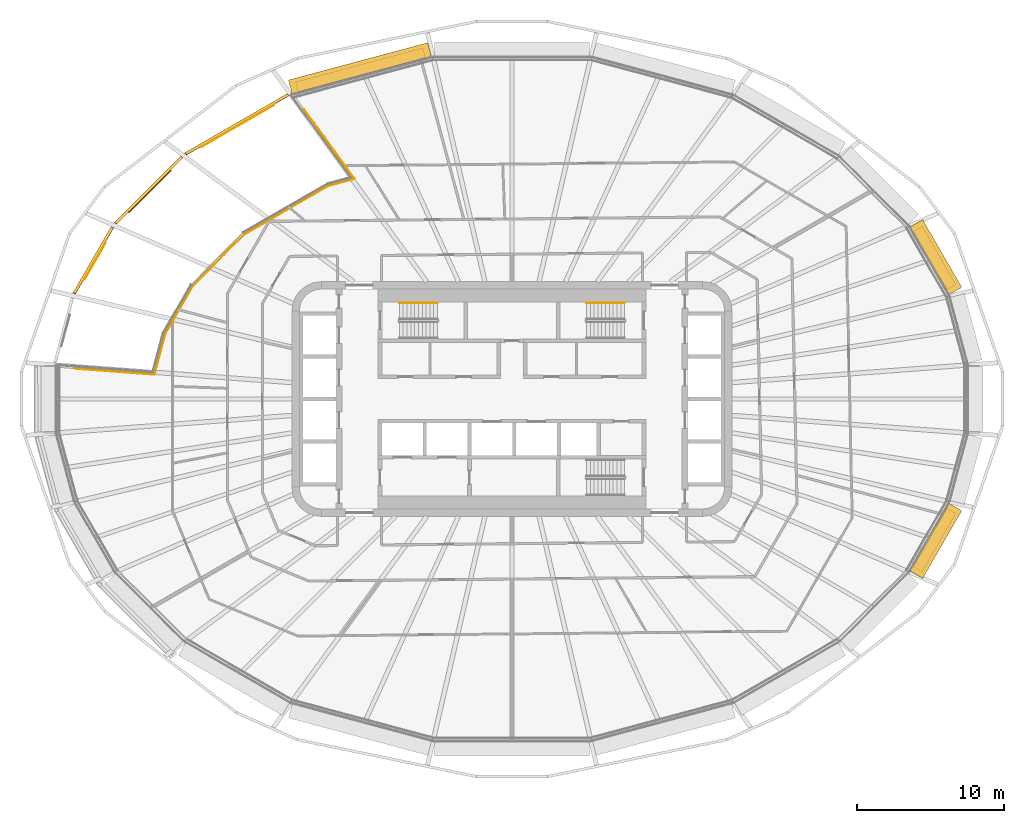
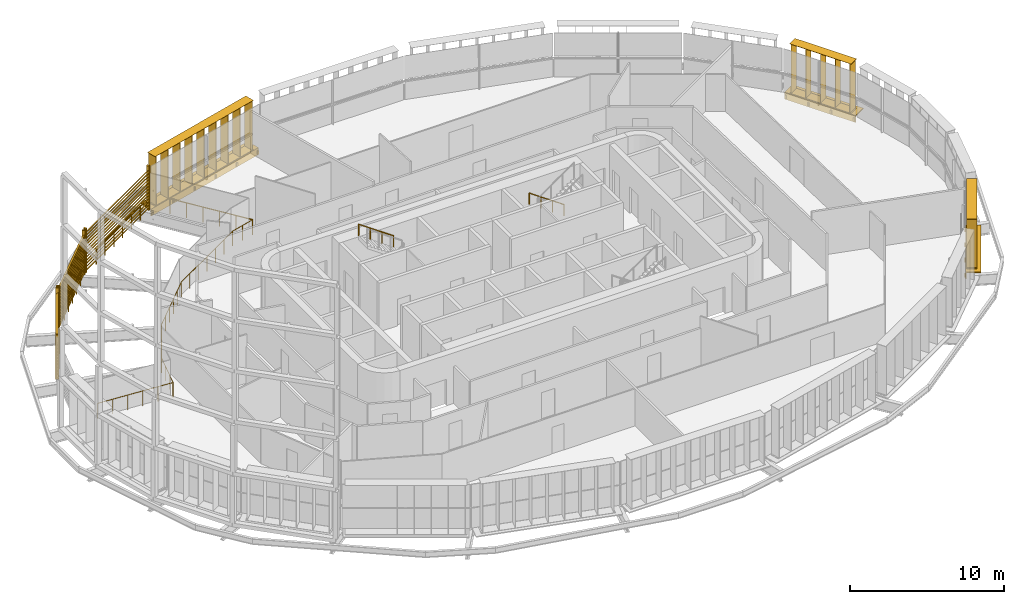
# One storey, part 21 of 22: 9 shading devices, 7 railings.
"""IFC4 building model written with IfcOpenShell, lengths in metres."""

from ifc_helpers import new_model, si_unit, direction, frame, origin, origin_2d, place, context, subcontext, project, spatial, rectangle, circle, extrude, material, type_object, element, save


model = new_model("IFC4")

# Units and contexts
model_context = context("Model", 3, precision=1e-05, world=origin(), true_north=direction((0.0, 1.0)))
body_context = subcontext(model_context, "Body", "Model", "MODEL_VIEW")
ifc_project = project(units=[si_unit("LENGTHUNIT", "METRE"), si_unit("AREAUNIT", "SQUARE_METRE"), si_unit("VOLUMEUNIT", "CUBIC_METRE"), si_unit("PLANEANGLEUNIT", "RADIAN"), si_unit("MASSUNIT", "GRAM", prefix="KILO")], contexts=[model_context])

# Site, building, storey
site_placement = place(None, origin())
site = spatial("IfcSite", under=ifc_project, at=site_placement, CompositionType="ELEMENT")
building_placement = place(site_placement, origin())
building = spatial("IfcBuilding", under=site, at=building_placement, Name="Sahrelin Media Tower", CompositionType="ELEMENT")
storey_placement = place(building_placement, frame((0.0, 0.0, 177.60009765625)))
storey = spatial("IfcBuildingStorey", under=building, at=storey_placement, Name="L37", CompositionType="ELEMENT", Elevation=177.60009765625)

# Shading devices
ifc_material_1 = material(Name="Champagne anodised aluminium 6063-T6", Category="aluminium")
shading_device_type_1 = type_object("IfcShadingDeviceType", Name="Fin cassette", PredefinedType="USERDEFINED", material=ifc_material_1)
placement_1 = place(storey_placement, frame((28.443359375, 9.405517578125, 0.0), z_axis=(0.0, 0.0, 1.0), x_axis=(0.500011000363, -0.866019052629, 0.0)))
element("IfcShadingDevice", 1, at=placement_1, inside=storey, type_object=shading_device_type_1, Name="L37:FIN:L37-02", ObjectType="FIN", PredefinedType="USERDEFINED", context=body_context, shape_type="SweptSolid", body=[
    extrude(rectangle(XDim=4.60009765625, YDim=0.699951171875, at=origin_2d()), frame((0.0, 0.419921875, 0.0)), (0.0, 0.0, 1.0), 0.02001953125),
    extrude(rectangle(XDim=4.60009765625, YDim=0.699951171875, at=origin_2d()), frame((0.0, 0.419921875, 3.89990234375)), (0.0, 0.0, 1.0), 0.02001953125),
    extrude(rectangle(XDim=0.02001953125, YDim=0.699951171875, at=origin_2d()), frame((-2.199951171875, 0.419921875, 0.010009765625), z_axis=(0.0, 0.0, 1.0), x_axis=(1.0, 0.0, 0.0)), (0.0, 0.0, 1.0), 3.89990234375),
    extrude(rectangle(XDim=0.02001953125, YDim=0.699951171875, at=origin_2d()), frame((-1.10009765625, 0.419921875, 0.010009765625), z_axis=(0.0, 0.0, 1.0), x_axis=(1.0, 0.0, 0.0)), (0.0, 0.0, 1.0), 3.89990234375),
    extrude(rectangle(XDim=0.02001953125, YDim=0.699951171875, at=origin_2d()), frame((0.0, 0.419921875, 0.010009765625), z_axis=(0.0, 0.0, 1.0), x_axis=(1.0, 0.0, 0.0)), (0.0, 0.0, 1.0), 3.89990234375),
    extrude(rectangle(XDim=0.02001953125, YDim=0.699951171875, at=origin_2d()), frame((1.10009765625, 0.419921875, 0.010009765625), z_axis=(0.0, 0.0, 1.0), x_axis=(1.0, 0.0, 0.0)), (0.0, 0.0, 1.0), 3.89990234375),
    extrude(rectangle(XDim=0.02001953125, YDim=0.699951171875, at=origin_2d()), frame((2.199951171875, 0.419921875, 0.010009765625), z_axis=(0.0, 0.0, 1.0), x_axis=(1.0, 0.0, 0.0)), (0.0, 0.0, 1.0), 3.89990234375),
])
placement_2 = place(storey_placement, frame((-10.22509765625, 22.027099609375, 0.0), z_axis=(0.0, 0.0, 1.0), x_axis=(0.965928857556, 0.258807731996, 0.0)))
element("IfcShadingDevice", 2, at=placement_2, inside=storey, type_object=shading_device_type_1, Name="L37:FIN:L37-07", ObjectType="FIN", PredefinedType="USERDEFINED", context=body_context, shape_type="SweptSolid", body=[
    extrude(rectangle(XDim=9.0, YDim=0.699951171875, at=origin_2d()), frame((0.0, 0.419921875, 0.0)), (0.0, 0.0, 1.0), 0.02001953125),
    extrude(rectangle(XDim=9.0, YDim=0.699951171875, at=origin_2d()), frame((0.0, 0.419921875, 3.89990234375)), (0.0, 0.0, 1.0), 0.02001953125),
    extrude(rectangle(XDim=0.02001953125, YDim=0.699951171875, at=origin_2d()), frame((-4.39990234375, 0.419921875, 0.010009765625), z_axis=(0.0, 0.0, 1.0), x_axis=(1.0, 0.0, 0.0)), (0.0, 0.0, 1.0), 3.89990234375),
    extrude(rectangle(XDim=0.02001953125, YDim=0.699951171875, at=origin_2d()), frame((-3.300048828125, 0.419921875, 0.010009765625), z_axis=(0.0, 0.0, 1.0), x_axis=(1.0, 0.0, 0.0)), (0.0, 0.0, 1.0), 3.89990234375),
    extrude(rectangle(XDim=0.02001953125, YDim=0.699951171875, at=origin_2d()), frame((-2.199951171875, 0.419921875, 0.010009765625), z_axis=(0.0, 0.0, 1.0), x_axis=(1.0, 0.0, 0.0)), (0.0, 0.0, 1.0), 3.89990234375),
    extrude(rectangle(XDim=0.02001953125, YDim=0.699951171875, at=origin_2d()), frame((-1.10009765625, 0.419921875, 0.010009765625), z_axis=(0.0, 0.0, 1.0), x_axis=(1.0, 0.0, 0.0)), (0.0, 0.0, 1.0), 3.89990234375),
    extrude(rectangle(XDim=0.02001953125, YDim=0.699951171875, at=origin_2d()), frame((0.0, 0.419921875, 0.010009765625), z_axis=(0.0, 0.0, 1.0), x_axis=(1.0, 0.0, 0.0)), (0.0, 0.0, 1.0), 3.89990234375),
    extrude(rectangle(XDim=0.02001953125, YDim=0.699951171875, at=origin_2d()), frame((1.10009765625, 0.419921875, 0.010009765625), z_axis=(0.0, 0.0, 1.0), x_axis=(1.0, 0.0, 0.0)), (0.0, 0.0, 1.0), 3.89990234375),
    extrude(rectangle(XDim=0.02001953125, YDim=0.699951171875, at=origin_2d()), frame((2.199951171875, 0.419921875, 0.010009765625), z_axis=(0.0, 0.0, 1.0), x_axis=(1.0, 0.0, 0.0)), (0.0, 0.0, 1.0), 3.89990234375),
    extrude(rectangle(XDim=0.02001953125, YDim=0.699951171875, at=origin_2d()), frame((3.300048828125, 0.419921875, 0.010009765625), z_axis=(0.0, 0.0, 1.0), x_axis=(1.0, 0.0, 0.0)), (0.0, 0.0, 1.0), 3.89990234375),
    extrude(rectangle(XDim=0.02001953125, YDim=0.699951171875, at=origin_2d()), frame((4.39990234375, 0.419921875, 0.010009765625), z_axis=(0.0, 0.0, 1.0), x_axis=(1.0, 0.0, 0.0)), (0.0, 0.0, 1.0), 3.89990234375),
])
placement_3 = place(storey_placement, frame((28.443359375, -9.405517578125, 0.0), z_axis=(0.0, 0.0, 1.0), x_axis=(-0.500011000363, -0.866019052629, 0.0)))
element("IfcShadingDevice", 3, at=placement_3, inside=storey, type_object=shading_device_type_1, Name="L37:FIN:L37-22", ObjectType="FIN", PredefinedType="USERDEFINED", context=body_context, shape_type="SweptSolid", body=[
    extrude(rectangle(XDim=4.60009765625, YDim=0.699951171875, at=origin_2d()), frame((0.0, 0.419921875, 0.0)), (0.0, 0.0, 1.0), 0.02001953125),
    extrude(rectangle(XDim=4.60009765625, YDim=0.699951171875, at=origin_2d()), frame((0.0, 0.419921875, 3.89990234375)), (0.0, 0.0, 1.0), 0.02001953125),
    extrude(rectangle(XDim=0.02001953125, YDim=0.699951171875, at=origin_2d()), frame((-2.199951171875, 0.419921875, 0.010009765625), z_axis=(0.0, 0.0, 1.0), x_axis=(1.0, 0.0, 0.0)), (0.0, 0.0, 1.0), 3.89990234375),
    extrude(rectangle(XDim=0.02001953125, YDim=0.699951171875, at=origin_2d()), frame((-1.10009765625, 0.419921875, 0.010009765625), z_axis=(0.0, 0.0, 1.0), x_axis=(1.0, 0.0, 0.0)), (0.0, 0.0, 1.0), 3.89990234375),
    extrude(rectangle(XDim=0.02001953125, YDim=0.699951171875, at=origin_2d()), frame((0.0, 0.419921875, 0.010009765625), z_axis=(0.0, 0.0, 1.0), x_axis=(1.0, 0.0, 0.0)), (0.0, 0.0, 1.0), 3.89990234375),
    extrude(rectangle(XDim=0.02001953125, YDim=0.699951171875, at=origin_2d()), frame((1.10009765625, 0.419921875, 0.010009765625), z_axis=(0.0, 0.0, 1.0), x_axis=(1.0, 0.0, 0.0)), (0.0, 0.0, 1.0), 3.89990234375),
    extrude(rectangle(XDim=0.02001953125, YDim=0.699951171875, at=origin_2d()), frame((2.199951171875, 0.419921875, 0.010009765625), z_axis=(0.0, 0.0, 1.0), x_axis=(1.0, 0.0, 0.0)), (0.0, 0.0, 1.0), 3.89990234375),
])
shading_device_type_2 = type_object("IfcShadingDeviceType", Name="Garden screen", PredefinedType="USERDEFINED", material=ifc_material_1)
shading_device_4_placement = place(storey_placement, frame((-18.691162109375, 18.6376953125, 0.0), z_axis=(0.0, 0.0, 1.0), x_axis=(0.866019052629, 0.500011000363, 0.0)))
element("IfcShadingDevice", 4, at=shading_device_4_placement, inside=storey, type_object=shading_device_type_2, Name="L37:SCREEN:L37-08", ObjectType="SCREEN", PredefinedType="USERDEFINED", context=body_context, shape_type="SweptSolid", body=[
    extrude(rectangle(XDim=0.1201171875, YDim=0.199951171875, at=origin_2d()), frame((4.07373046875, 0.10009765625, 0.050048828125), z_axis=(0.0, 0.0, 1.0), x_axis=(1.0, 0.0, 0.0)), (0.0, 0.0, 1.0), 3.49853515625),
    extrude(rectangle(XDim=0.1201171875, YDim=0.199951171875, at=origin_2d()), frame((-4.07373046875, 0.10009765625, 0.050048828125), z_axis=(0.0, 0.0, 1.0), x_axis=(1.0, 0.0, 0.0)), (0.0, 0.0, 1.0), 3.49853515625),
    extrude(rectangle(XDim=0.25, YDim=0.02001953125, at=origin_2d()), frame((4.013916015625, 0.10009765625, 0.14990234375), z_axis=(-1.0, 0.0, 0.0), x_axis=(0.0, -0.766044443119, 0.642787609687)), (0.0, 0.0, 1.0), 8.02783203125),
    extrude(rectangle(XDim=0.25, YDim=0.02001953125, at=origin_2d()), frame((4.013916015625, 0.10009765625, 0.39990234375), z_axis=(-1.0, 0.0, 0.0), x_axis=(0.0, -0.766044443119, 0.642787609687)), (0.0, 0.0, 1.0), 8.02783203125),
    extrude(rectangle(XDim=0.25, YDim=0.02001953125, at=origin_2d()), frame((4.013916015625, 0.10009765625, 0.64990234375), z_axis=(-1.0, 0.0, 0.0), x_axis=(0.0, -0.766044443119, 0.642787609687)), (0.0, 0.0, 1.0), 8.02783203125),
    extrude(rectangle(XDim=0.25, YDim=0.02001953125, at=origin_2d()), frame((4.013916015625, 0.10009765625, 0.89990234375), z_axis=(-1.0, 0.0, 0.0), x_axis=(0.0, -0.766044443119, 0.642787609687)), (0.0, 0.0, 1.0), 8.02783203125),
    extrude(rectangle(XDim=0.25, YDim=0.02001953125, at=origin_2d()), frame((4.013916015625, 0.10009765625, 1.14990234375), z_axis=(-1.0, 0.0, 0.0), x_axis=(0.0, -0.766044443119, 0.642787609687)), (0.0, 0.0, 1.0), 8.02783203125),
    extrude(rectangle(XDim=0.25, YDim=0.02001953125, at=origin_2d()), frame((4.013916015625, 0.10009765625, 1.39990234375), z_axis=(-1.0, 0.0, 0.0), x_axis=(0.0, -0.766044443119, 0.642787609687)), (0.0, 0.0, 1.0), 8.02783203125),
    extrude(rectangle(XDim=0.25, YDim=0.02001953125, at=origin_2d()), frame((4.013916015625, 0.10009765625, 1.64990234375), z_axis=(-1.0, 0.0, 0.0), x_axis=(0.0, -0.766044443119, 0.642787609687)), (0.0, 0.0, 1.0), 8.02783203125),
    extrude(rectangle(XDim=0.25, YDim=0.02001953125, at=origin_2d()), frame((4.013916015625, 0.10009765625, 1.89990234375), z_axis=(-1.0, 0.0, 0.0), x_axis=(0.0, -0.766044443119, 0.642787609687)), (0.0, 0.0, 1.0), 8.02783203125),
    extrude(rectangle(XDim=0.25, YDim=0.02001953125, at=origin_2d()), frame((4.013916015625, 0.10009765625, 2.14990234375), z_axis=(-1.0, 0.0, 0.0), x_axis=(0.0, -0.766044443119, 0.642787609687)), (0.0, 0.0, 1.0), 8.02783203125),
    extrude(rectangle(XDim=0.25, YDim=0.02001953125, at=origin_2d()), frame((4.013916015625, 0.10009765625, 2.39990234375), z_axis=(-1.0, 0.0, 0.0), x_axis=(0.0, -0.766044443119, 0.642787609687)), (0.0, 0.0, 1.0), 8.02783203125),
    extrude(rectangle(XDim=0.25, YDim=0.02001953125, at=origin_2d()), frame((4.013916015625, 0.10009765625, 2.64990234375), z_axis=(-1.0, 0.0, 0.0), x_axis=(0.0, -0.766044443119, 0.642787609687)), (0.0, 0.0, 1.0), 8.02783203125),
    extrude(rectangle(XDim=0.25, YDim=0.02001953125, at=origin_2d()), frame((4.013916015625, 0.10009765625, 2.89990234375), z_axis=(-1.0, 0.0, 0.0), x_axis=(0.0, -0.766044443119, 0.642787609687)), (0.0, 0.0, 1.0), 8.02783203125),
    extrude(rectangle(XDim=0.25, YDim=0.02001953125, at=origin_2d()), frame((4.013916015625, 0.10009765625, 3.14990234375), z_axis=(-1.0, 0.0, 0.0), x_axis=(0.0, -0.766044443119, 0.642787609687)), (0.0, 0.0, 1.0), 8.02783203125),
])
shading_device_5_placement = place(storey_placement, frame((-24.688232421875, 14.172119140625, 0.0), z_axis=(0.0, 0.0, 1.0), x_axis=(0.707106781187, 0.707106781187, 0.0)))
element("IfcShadingDevice", 5, at=shading_device_5_placement, inside=storey, type_object=shading_device_type_2, Name="L37:SCREEN:L37-09", ObjectType="SCREEN", PredefinedType="USERDEFINED", context=body_context, shape_type="SweptSolid", body=[
    extrude(rectangle(XDim=0.1201171875, YDim=0.199951171875, at=origin_2d()), frame((3.246826171875, 0.10009765625, 0.050048828125), z_axis=(0.0, 0.0, 1.0), x_axis=(1.0, 0.0, 0.0)), (0.0, 0.0, 1.0), 3.49853515625),
    extrude(rectangle(XDim=0.1201171875, YDim=0.199951171875, at=origin_2d()), frame((-3.246826171875, 0.10009765625, 0.050048828125), z_axis=(0.0, 0.0, 1.0), x_axis=(1.0, 0.0, 0.0)), (0.0, 0.0, 1.0), 3.49853515625),
    extrude(rectangle(XDim=0.25, YDim=0.02001953125, at=origin_2d()), frame((3.18701171875, 0.10009765625, 0.14990234375), z_axis=(-1.0, 0.0, 0.0), x_axis=(0.0, -0.766044443119, 0.642787609687)), (0.0, 0.0, 1.0), 6.3740234375),
    extrude(rectangle(XDim=0.25, YDim=0.02001953125, at=origin_2d()), frame((3.18701171875, 0.10009765625, 0.39990234375), z_axis=(-1.0, 0.0, 0.0), x_axis=(0.0, -0.766044443119, 0.642787609687)), (0.0, 0.0, 1.0), 6.3740234375),
    extrude(rectangle(XDim=0.25, YDim=0.02001953125, at=origin_2d()), frame((3.18701171875, 0.10009765625, 0.64990234375), z_axis=(-1.0, 0.0, 0.0), x_axis=(0.0, -0.766044443119, 0.642787609687)), (0.0, 0.0, 1.0), 6.3740234375),
    extrude(rectangle(XDim=0.25, YDim=0.02001953125, at=origin_2d()), frame((3.18701171875, 0.10009765625, 0.89990234375), z_axis=(-1.0, 0.0, 0.0), x_axis=(0.0, -0.766044443119, 0.642787609687)), (0.0, 0.0, 1.0), 6.3740234375),
    extrude(rectangle(XDim=0.25, YDim=0.02001953125, at=origin_2d()), frame((3.18701171875, 0.10009765625, 1.14990234375), z_axis=(-1.0, 0.0, 0.0), x_axis=(0.0, -0.766044443119, 0.642787609687)), (0.0, 0.0, 1.0), 6.3740234375),
    extrude(rectangle(XDim=0.25, YDim=0.02001953125, at=origin_2d()), frame((3.18701171875, 0.10009765625, 1.39990234375), z_axis=(-1.0, 0.0, 0.0), x_axis=(0.0, -0.766044443119, 0.642787609687)), (0.0, 0.0, 1.0), 6.3740234375),
    extrude(rectangle(XDim=0.25, YDim=0.02001953125, at=origin_2d()), frame((3.18701171875, 0.10009765625, 1.64990234375), z_axis=(-1.0, 0.0, 0.0), x_axis=(0.0, -0.766044443119, 0.642787609687)), (0.0, 0.0, 1.0), 6.3740234375),
    extrude(rectangle(XDim=0.25, YDim=0.02001953125, at=origin_2d()), frame((3.18701171875, 0.10009765625, 1.89990234375), z_axis=(-1.0, 0.0, 0.0), x_axis=(0.0, -0.766044443119, 0.642787609687)), (0.0, 0.0, 1.0), 6.3740234375),
    extrude(rectangle(XDim=0.25, YDim=0.02001953125, at=origin_2d()), frame((3.18701171875, 0.10009765625, 2.14990234375), z_axis=(-1.0, 0.0, 0.0), x_axis=(0.0, -0.766044443119, 0.642787609687)), (0.0, 0.0, 1.0), 6.3740234375),
    extrude(rectangle(XDim=0.25, YDim=0.02001953125, at=origin_2d()), frame((3.18701171875, 0.10009765625, 2.39990234375), z_axis=(-1.0, 0.0, 0.0), x_axis=(0.0, -0.766044443119, 0.642787609687)), (0.0, 0.0, 1.0), 6.3740234375),
    extrude(rectangle(XDim=0.25, YDim=0.02001953125, at=origin_2d()), frame((3.18701171875, 0.10009765625, 2.64990234375), z_axis=(-1.0, 0.0, 0.0), x_axis=(0.0, -0.766044443119, 0.642787609687)), (0.0, 0.0, 1.0), 6.3740234375),
    extrude(rectangle(XDim=0.25, YDim=0.02001953125, at=origin_2d()), frame((3.18701171875, 0.10009765625, 2.89990234375), z_axis=(-1.0, 0.0, 0.0), x_axis=(0.0, -0.766044443119, 0.642787609687)), (0.0, 0.0, 1.0), 6.3740234375),
    extrude(rectangle(XDim=0.25, YDim=0.02001953125, at=origin_2d()), frame((3.18701171875, 0.10009765625, 3.14990234375), z_axis=(-1.0, 0.0, 0.0), x_axis=(0.0, -0.766044443119, 0.642787609687)), (0.0, 0.0, 1.0), 6.3740234375),
])
shading_device_6_placement = place(storey_placement, frame((-28.443359375, 9.405517578125, 0.0), z_axis=(0.0, 0.0, 1.0), x_axis=(0.500011000363, 0.866019052629, 0.0)))
element("IfcShadingDevice", 6, at=shading_device_6_placement, inside=storey, type_object=shading_device_type_2, Name="L37:SCREEN:L37-10", ObjectType="SCREEN", PredefinedType="USERDEFINED", context=body_context, shape_type="SweptSolid", body=[
    extrude(rectangle(XDim=0.1201171875, YDim=0.199951171875, at=origin_2d()), frame((2.653076171875, 0.10009765625, 0.050048828125), z_axis=(0.0, 0.0, 1.0), x_axis=(1.0, 0.0, 0.0)), (0.0, 0.0, 1.0), 3.49853515625),
    extrude(rectangle(XDim=0.1201171875, YDim=0.199951171875, at=origin_2d()), frame((-2.653076171875, 0.10009765625, 0.050048828125), z_axis=(0.0, 0.0, 1.0), x_axis=(1.0, 0.0, 0.0)), (0.0, 0.0, 1.0), 3.49853515625),
    extrude(rectangle(XDim=0.25, YDim=0.02001953125, at=origin_2d()), frame((2.593017578125, 0.10009765625, 0.14990234375), z_axis=(-1.0, 0.0, 0.0), x_axis=(0.0, -0.766044443119, 0.642787609687)), (0.0, 0.0, 1.0), 5.18603515625),
    extrude(rectangle(XDim=0.25, YDim=0.02001953125, at=origin_2d()), frame((2.593017578125, 0.10009765625, 0.39990234375), z_axis=(-1.0, 0.0, 0.0), x_axis=(0.0, -0.766044443119, 0.642787609687)), (0.0, 0.0, 1.0), 5.18603515625),
    extrude(rectangle(XDim=0.25, YDim=0.02001953125, at=origin_2d()), frame((2.593017578125, 0.10009765625, 0.64990234375), z_axis=(-1.0, 0.0, 0.0), x_axis=(0.0, -0.766044443119, 0.642787609687)), (0.0, 0.0, 1.0), 5.18603515625),
    extrude(rectangle(XDim=0.25, YDim=0.02001953125, at=origin_2d()), frame((2.593017578125, 0.10009765625, 0.89990234375), z_axis=(-1.0, 0.0, 0.0), x_axis=(0.0, -0.766044443119, 0.642787609687)), (0.0, 0.0, 1.0), 5.18603515625),
    extrude(rectangle(XDim=0.25, YDim=0.02001953125, at=origin_2d()), frame((2.593017578125, 0.10009765625, 1.14990234375), z_axis=(-1.0, 0.0, 0.0), x_axis=(0.0, -0.766044443119, 0.642787609687)), (0.0, 0.0, 1.0), 5.18603515625),
    extrude(rectangle(XDim=0.25, YDim=0.02001953125, at=origin_2d()), frame((2.593017578125, 0.10009765625, 1.39990234375), z_axis=(-1.0, 0.0, 0.0), x_axis=(0.0, -0.766044443119, 0.642787609687)), (0.0, 0.0, 1.0), 5.18603515625),
    extrude(rectangle(XDim=0.25, YDim=0.02001953125, at=origin_2d()), frame((2.593017578125, 0.10009765625, 1.64990234375), z_axis=(-1.0, 0.0, 0.0), x_axis=(0.0, -0.766044443119, 0.642787609687)), (0.0, 0.0, 1.0), 5.18603515625),
    extrude(rectangle(XDim=0.25, YDim=0.02001953125, at=origin_2d()), frame((2.593017578125, 0.10009765625, 1.89990234375), z_axis=(-1.0, 0.0, 0.0), x_axis=(0.0, -0.766044443119, 0.642787609687)), (0.0, 0.0, 1.0), 5.18603515625),
    extrude(rectangle(XDim=0.25, YDim=0.02001953125, at=origin_2d()), frame((2.593017578125, 0.10009765625, 2.14990234375), z_axis=(-1.0, 0.0, 0.0), x_axis=(0.0, -0.766044443119, 0.642787609687)), (0.0, 0.0, 1.0), 5.18603515625),
    extrude(rectangle(XDim=0.25, YDim=0.02001953125, at=origin_2d()), frame((2.593017578125, 0.10009765625, 2.39990234375), z_axis=(-1.0, 0.0, 0.0), x_axis=(0.0, -0.766044443119, 0.642787609687)), (0.0, 0.0, 1.0), 5.18603515625),
    extrude(rectangle(XDim=0.25, YDim=0.02001953125, at=origin_2d()), frame((2.593017578125, 0.10009765625, 2.64990234375), z_axis=(-1.0, 0.0, 0.0), x_axis=(0.0, -0.766044443119, 0.642787609687)), (0.0, 0.0, 1.0), 5.18603515625),
    extrude(rectangle(XDim=0.25, YDim=0.02001953125, at=origin_2d()), frame((2.593017578125, 0.10009765625, 2.89990234375), z_axis=(-1.0, 0.0, 0.0), x_axis=(0.0, -0.766044443119, 0.642787609687)), (0.0, 0.0, 1.0), 5.18603515625),
    extrude(rectangle(XDim=0.25, YDim=0.02001953125, at=origin_2d()), frame((2.593017578125, 0.10009765625, 3.14990234375), z_axis=(-1.0, 0.0, 0.0), x_axis=(0.0, -0.766044443119, 0.642787609687)), (0.0, 0.0, 1.0), 5.18603515625),
])

# Railings
ifc_material_2 = material(Name="Stainless steel 316", Category="steel")
railing_type_1 = type_object("IfcRailingType", Name="Sky garden guard", PredefinedType="GUARDRAIL", material=ifc_material_2)
railing_1_placement = place(storey_placement, frame((-10.72412109375, 15.0087890625, 0.0)))
element("IfcRailing", 7, at=railing_1_placement, inside=storey, type_object=railing_type_1, Name="Sky garden void guard G3-1", PredefinedType="GUARDRAIL", context=body_context, shape_type="SweptSolid", body=[
    extrude(circle(Radius=0.02392578125, at=origin_2d()), frame((0.0, 0.0, 1.17578125), z_axis=(-0.965939167271, -0.258769250746, 0.0), x_axis=(0.258769250746, -0.965939167271, 0.0)), (0.0, 0.0, 1.0), 1.83984375),
    extrude(circle(Radius=0.02392578125, at=origin_2d()), frame((-1.777099609375, -0.47607421875, 1.17578125), z_axis=(-0.866031967744, -0.499988630717, 0.0), x_axis=(0.499988630717, -0.866031967744, 0.0)), (0.0, 0.0, 1.0), 6.616455078125),
    extrude(circle(Radius=0.02392578125, at=origin_2d()), frame((-7.507080078125, -3.7841796875, 1.17578125), z_axis=(-0.707082184885, -0.707131376633, 0.0), x_axis=(0.707131376633, -0.707082184885, 0.0)), (0.0, 0.0, 1.0), 4.963134765625),
    extrude(circle(Radius=0.02392578125, at=origin_2d()), frame((-11.016357421875, -7.293701171875, 1.17578125), z_axis=(-0.500013576925, -0.866017565001, 0.0), x_axis=(0.866017565001, -0.500013576925, 0.0)), (0.0, 0.0, 1.0), 3.77490234375),
    extrude(circle(Radius=0.02392578125, at=origin_2d()), frame((-12.90380859375, -10.562744140625, 1.17578125), z_axis=(-0.258852151407, -0.965916954873, 0.0), x_axis=(0.965916954873, -0.258852151407, 0.0)), (0.0, 0.0, 1.0), 2.873779296875),
    extrude(circle(Radius=0.02392578125, at=origin_2d()), frame((-13.647705078125, -13.338623046875, 1.17578125), z_axis=(-0.99722324189, 0.074470167419, 0.0), x_axis=(-0.074470167419, -0.99722324189, 0.0)), (0.0, 0.0, 1.0), 5.409423828125),
    extrude(circle(Radius=0.02099609375, at=origin_2d()), origin(), (0.0, 0.0, 1.0), 1.15185546875),
    extrude(circle(Radius=0.02099609375, at=origin_2d()), frame((-0.888671875, -0.238037109375, 0.0)), (0.0, 0.0, 1.0), 1.15185546875),
    extrude(circle(Radius=0.02099609375, at=origin_2d()), frame((-1.777099609375, -0.47607421875, 0.0)), (0.0, 0.0, 1.0), 1.15185546875),
    extrude(circle(Radius=0.02099609375, at=origin_2d()), frame((-2.732177734375, -1.02734375, 0.0)), (0.0, 0.0, 1.0), 1.15185546875),
    extrude(circle(Radius=0.02099609375, at=origin_2d()), frame((-3.68701171875, -1.578857421875, 0.0)), (0.0, 0.0, 1.0), 1.15185546875),
    extrude(circle(Radius=0.02099609375, at=origin_2d()), frame((-4.64208984375, -2.130126953125, 0.0)), (0.0, 0.0, 1.0), 1.15185546875),
    extrude(circle(Radius=0.02099609375, at=origin_2d()), frame((-5.59716796875, -2.681396484375, 0.0)), (0.0, 0.0, 1.0), 1.15185546875),
    extrude(circle(Radius=0.02099609375, at=origin_2d()), frame((-6.552001953125, -3.23291015625, 0.0)), (0.0, 0.0, 1.0), 1.15185546875),
    extrude(circle(Radius=0.02099609375, at=origin_2d()), frame((-7.507080078125, -3.7841796875, 0.0)), (0.0, 0.0, 1.0), 1.15185546875),
    extrude(circle(Radius=0.02099609375, at=origin_2d()), frame((-8.208984375, -4.486083984375, 0.0)), (0.0, 0.0, 1.0), 1.15185546875),
    extrude(circle(Radius=0.02099609375, at=origin_2d()), frame((-8.910888671875, -5.18798828125, 0.0)), (0.0, 0.0, 1.0), 1.15185546875),
    extrude(circle(Radius=0.02099609375, at=origin_2d()), frame((-9.612548828125, -5.889892578125, 0.0)), (0.0, 0.0, 1.0), 1.15185546875),
    extrude(circle(Radius=0.02099609375, at=origin_2d()), frame((-10.314453125, -6.591796875, 0.0)), (0.0, 0.0, 1.0), 1.15185546875),
    extrude(circle(Radius=0.02099609375, at=origin_2d()), frame((-11.016357421875, -7.293701171875, 0.0)), (0.0, 0.0, 1.0), 1.15185546875),
    extrude(circle(Radius=0.02099609375, at=origin_2d()), frame((-11.48828125, -8.11083984375, 0.0)), (0.0, 0.0, 1.0), 1.15185546875),
    extrude(circle(Radius=0.02099609375, at=origin_2d()), frame((-11.9599609375, -8.92822265625, 0.0)), (0.0, 0.0, 1.0), 1.15185546875),
    extrude(circle(Radius=0.02099609375, at=origin_2d()), frame((-12.431884765625, -9.74560546875, 0.0)), (0.0, 0.0, 1.0), 1.15185546875),
    extrude(circle(Radius=0.02099609375, at=origin_2d()), frame((-12.90380859375, -10.562744140625, 0.0)), (0.0, 0.0, 1.0), 1.15185546875),
    extrude(circle(Radius=0.02099609375, at=origin_2d()), frame((-13.15185546875, -11.488037109375, 0.0)), (0.0, 0.0, 1.0), 1.15185546875),
    extrude(circle(Radius=0.02099609375, at=origin_2d()), frame((-13.399658203125, -12.413330078125, 0.0)), (0.0, 0.0, 1.0), 1.15185546875),
    extrude(circle(Radius=0.02099609375, at=origin_2d()), frame((-13.647705078125, -13.338623046875, 0.0)), (0.0, 0.0, 1.0), 1.15185546875),
    extrude(circle(Radius=0.02099609375, at=origin_2d()), frame((-14.7265625, -13.258056640625, 0.0)), (0.0, 0.0, 1.0), 1.15185546875),
    extrude(circle(Radius=0.02099609375, at=origin_2d()), frame((-15.805419921875, -13.177490234375, 0.0)), (0.0, 0.0, 1.0), 1.15185546875),
    extrude(circle(Radius=0.02099609375, at=origin_2d()), frame((-16.88427734375, -13.096923828125, 0.0)), (0.0, 0.0, 1.0), 1.15185546875),
    extrude(circle(Radius=0.02099609375, at=origin_2d()), frame((-17.963134765625, -13.016357421875, 0.0)), (0.0, 0.0, 1.0), 1.15185546875),
    extrude(circle(Radius=0.02099609375, at=origin_2d()), frame((-19.0419921875, -12.935791015625, 0.0)), (0.0, 0.0, 1.0), 1.15185546875),
])
railing_2_placement = place(storey_placement, frame((-29.1376953125, 8.15771484375, 0.0)))
element("IfcRailing", 8, at=railing_2_placement, inside=storey, type_object=railing_type_1, Name="Sky garden void guard G3-3", PredefinedType="GUARDRAIL", context=body_context, shape_type="SweptSolid", body=[
    extrude(circle(Radius=0.02392578125, at=origin_2d()), frame((0.0, 0.0, 1.17578125), z_axis=(0.499998569178, 0.866026229868, 0.0), x_axis=(-0.866026229868, 0.499998569178, 0.0)), (0.0, 0.0, 1.0), 2.857421875),
    extrude(circle(Radius=0.02099609375, at=origin_2d()), origin(), (0.0, 0.0, 1.0), 1.15185546875),
    extrude(circle(Radius=0.02099609375, at=origin_2d()), frame((0.476318359375, 0.824951171875, 0.0)), (0.0, 0.0, 1.0), 1.15185546875),
    extrude(circle(Radius=0.02099609375, at=origin_2d()), frame((0.952392578125, 1.649658203125, 0.0)), (0.0, 0.0, 1.0), 1.15185546875),
    extrude(circle(Radius=0.02099609375, at=origin_2d()), frame((1.4287109375, 2.474609375, 0.0)), (0.0, 0.0, 1.0), 1.15185546875),
])
railing_3_placement = place(storey_placement, frame((-26.099853515625, 12.728515625, 0.0)))
element("IfcRailing", 9, at=railing_3_placement, inside=storey, type_object=railing_type_1, Name="Sky garden void guard G3-4", PredefinedType="GUARDRAIL", context=body_context, shape_type="SweptSolid", body=[
    extrude(circle(Radius=0.02392578125, at=origin_2d()), frame((0.0, 0.0, 1.17578125), z_axis=(0.707106781187, 0.707106781187, 0.0), x_axis=(-0.707106781187, 0.707106781187, 0.0)), (0.0, 0.0, 1.0), 4.038330078125),
    extrude(circle(Radius=0.02099609375, at=origin_2d()), origin(), (0.0, 0.0, 1.0), 1.15185546875),
    extrude(circle(Radius=0.02099609375, at=origin_2d()), frame((0.7138671875, 0.7138671875, 0.0)), (0.0, 0.0, 1.0), 1.15185546875),
    extrude(circle(Radius=0.02099609375, at=origin_2d()), frame((1.427734375, 1.427734375, 0.0)), (0.0, 0.0, 1.0), 1.15185546875),
    extrude(circle(Radius=0.02099609375, at=origin_2d()), frame((2.1416015625, 2.1416015625, 0.0)), (0.0, 0.0, 1.0), 1.15185546875),
    extrude(circle(Radius=0.02099609375, at=origin_2d()), frame((2.85546875, 2.85546875, 0.0)), (0.0, 0.0, 1.0), 1.15185546875),
])
railing_4_placement = place(storey_placement, frame((-21.1484375, 17.193115234375, 0.0)))
element("IfcRailing", 10, at=railing_4_placement, inside=storey, type_object=railing_type_1, Name="Sky garden void guard G3-5", PredefinedType="GUARDRAIL", context=body_context, shape_type="SweptSolid", body=[
    extrude(circle(Radius=0.02392578125, at=origin_2d()), frame((0.0, 0.0, 1.17578125), z_axis=(0.866038630372, 0.499977090179, 0.0), x_axis=(-0.499977090179, 0.866038630372, 0.0)), (0.0, 0.0, 1.0), 5.698974609375),
    extrude(circle(Radius=0.02099609375, at=origin_2d()), origin(), (0.0, 0.0, 1.0), 1.15185546875),
    extrude(circle(Radius=0.02099609375, at=origin_2d()), frame((0.987060546875, 0.56982421875, 0.0)), (0.0, 0.0, 1.0), 1.15185546875),
    extrude(circle(Radius=0.02099609375, at=origin_2d()), frame((1.97412109375, 1.1396484375, 0.0)), (0.0, 0.0, 1.0), 1.15185546875),
    extrude(circle(Radius=0.02099609375, at=origin_2d()), frame((2.96142578125, 1.709716796875, 0.0)), (0.0, 0.0, 1.0), 1.15185546875),
    extrude(circle(Radius=0.02099609375, at=origin_2d()), frame((3.948486328125, 2.279541015625, 0.0)), (0.0, 0.0, 1.0), 1.15185546875),
    extrude(circle(Radius=0.02099609375, at=origin_2d()), frame((4.935546875, 2.849365234375, 0.0)), (0.0, 0.0, 1.0), 1.15185546875),
])
railing_5_placement = place(storey_placement, frame((-14.166259765625, 19.744384765625, 0.0)))
element("IfcRailing", 11, at=railing_5_placement, inside=storey, type_object=railing_type_1, Name="Sky garden void guard G3-6", PredefinedType="GUARDRAIL", context=body_context, shape_type="SweptSolid", body=[
    extrude(circle(Radius=0.02392578125, at=origin_2d()), frame((0.0, 0.0, 1.17578125), z_axis=(0.587955953631, -0.808892945073, 0.0), x_axis=(0.808892945073, 0.587955953631, 0.0)), (0.0, 0.0, 1.0), 5.8544921875),
    extrude(circle(Radius=0.02099609375, at=origin_2d()), origin(), (0.0, 0.0, 1.0), 1.15185546875),
    extrude(circle(Radius=0.02099609375, at=origin_2d()), frame((0.6884765625, -0.947021484375, 0.0)), (0.0, 0.0, 1.0), 1.15185546875),
    extrude(circle(Radius=0.02099609375, at=origin_2d()), frame((1.376953125, -1.894287109375, 0.0)), (0.0, 0.0, 1.0), 1.15185546875),
    extrude(circle(Radius=0.02099609375, at=origin_2d()), frame((2.065185546875, -2.84130859375, 0.0)), (0.0, 0.0, 1.0), 1.15185546875),
    extrude(circle(Radius=0.02099609375, at=origin_2d()), frame((2.753662109375, -3.78857421875, 0.0)), (0.0, 0.0, 1.0), 1.15185546875),
    extrude(circle(Radius=0.02099609375, at=origin_2d()), frame((3.442138671875, -4.735595703125, 0.0)), (0.0, 0.0, 1.0), 1.15185546875),
])
ifc_material_3 = material(Name="Steel S355", Category="steel")
railing_type_2 = type_object("IfcRailingType", Name="Stair handrail 900", PredefinedType="HANDRAIL", material=ifc_material_3)
for number, where, name in (
    (12, (-5.074951171875, 6.550048828125, 2.181640625), "L37 ST1 stair handrail 2"),
    (13, (7.675048828125, 6.550048828125, 0.181640625), "L37 ST3 stair handrail 1"),
):
    element("IfcRailing", number, at=place(storey_placement, frame(where)), inside=storey, type_object=railing_type_2, Name=name, PredefinedType="HANDRAIL", context=body_context, shape_type="SweptSolid", body=[
        extrude(circle(Radius=0.02392578125, at=origin_2d()), frame((0.0, 0.0, 0.8759765625), z_axis=(-0.819484887739, 0.0, 0.573100792852), x_axis=(0.0, -1.0, 0.0)), (0.0, 0.0, 1.0), 3.1728515625),
        extrude(circle(Radius=0.02099609375, at=origin_2d()), origin(), (0.0, 0.0, 1.0), 0.851806640625),
        extrude(circle(Radius=0.02099609375, at=origin_2d()), frame((-0.86669921875, 0.0, 0.606201171875)), (0.0, 0.0, 1.0), 0.851806640625),
        extrude(circle(Radius=0.02099609375, at=origin_2d()), frame((-1.7333984375, 0.0, 1.212158203125)), (0.0, 0.0, 1.0), 0.851806640625),
        extrude(circle(Radius=0.02099609375, at=origin_2d()), frame((-2.60009765625, 0.0, 1.818359375)), (0.0, 0.0, 1.0), 0.851806640625),
    ])

# Shading devices
shading_device_type_3 = type_object("IfcShadingDeviceType", Name="Sunshade band", PredefinedType="USERDEFINED", material=ifc_material_1)
element("IfcShadingDevice", 14, at=placement_1, inside=storey, type_object=shading_device_type_3, Name="L37:SUN:L37-02", ObjectType="SUNSHADE", PredefinedType="USERDEFINED", context=body_context, shape_type="SweptSolid", body=[
    extrude(rectangle(XDim=5.325927734375, YDim=0.050048828125, at=origin_2d()), frame((0.0, 0.044921875, -0.55126953125)), (0.0, 0.0, 1.0), 0.471435546875),
    extrude(rectangle(XDim=5.325927734375, YDim=1.0, at=origin_2d()), frame((0.0, 0.52001953125, -0.080078125)), (0.0, 0.0, 1.0), 0.080078125),
    extrude(rectangle(XDim=0.10009765625, YDim=0.074951171875, at=origin_2d()), frame((-2.56298828125, -0.017578125, -0.47021484375)), (0.0, 0.0, 1.0), 0.300048828125),
    extrude(rectangle(XDim=0.10009765625, YDim=0.074951171875, at=origin_2d()), frame((-0.854248046875, -0.017578125, -0.47021484375)), (0.0, 0.0, 1.0), 0.300048828125),
    extrude(rectangle(XDim=0.10009765625, YDim=0.074951171875, at=origin_2d()), frame((0.854248046875, -0.017578125, -0.47021484375)), (0.0, 0.0, 1.0), 0.300048828125),
    extrude(rectangle(XDim=0.10009765625, YDim=0.074951171875, at=origin_2d()), frame((2.56298828125, -0.017578125, -0.47021484375)), (0.0, 0.0, 1.0), 0.300048828125),
])
element("IfcShadingDevice", 15, at=placement_2, inside=storey, type_object=shading_device_type_3, Name="L37:SUN:L37-07", ObjectType="SUNSHADE", PredefinedType="USERDEFINED", context=body_context, shape_type="SweptSolid", body=[
    extrude(rectangle(XDim=9.826904296875, YDim=0.050048828125, at=origin_2d()), frame((0.0, 0.044921875, -0.55126953125)), (0.0, 0.0, 1.0), 0.471435546875),
    extrude(rectangle(XDim=9.826904296875, YDim=1.0, at=origin_2d()), frame((0.0, 0.52001953125, -0.080078125)), (0.0, 0.0, 1.0), 0.080078125),
    extrude(rectangle(XDim=0.10009765625, YDim=0.074951171875, at=origin_2d()), frame((-4.8134765625, -0.017578125, -0.47021484375)), (0.0, 0.0, 1.0), 0.300048828125),
    extrude(rectangle(XDim=0.10009765625, YDim=0.074951171875, at=origin_2d()), frame((-2.88818359375, -0.017578125, -0.47021484375)), (0.0, 0.0, 1.0), 0.300048828125),
    extrude(rectangle(XDim=0.10009765625, YDim=0.074951171875, at=origin_2d()), frame((-0.962646484375, -0.017578125, -0.47021484375)), (0.0, 0.0, 1.0), 0.300048828125),
    extrude(rectangle(XDim=0.10009765625, YDim=0.074951171875, at=origin_2d()), frame((0.962646484375, -0.017578125, -0.47021484375)), (0.0, 0.0, 1.0), 0.300048828125),
    extrude(rectangle(XDim=0.10009765625, YDim=0.074951171875, at=origin_2d()), frame((2.88818359375, -0.017578125, -0.47021484375)), (0.0, 0.0, 1.0), 0.300048828125),
    extrude(rectangle(XDim=0.10009765625, YDim=0.074951171875, at=origin_2d()), frame((4.8134765625, -0.017578125, -0.47021484375)), (0.0, 0.0, 1.0), 0.300048828125),
])
element("IfcShadingDevice", 16, at=placement_3, inside=storey, type_object=shading_device_type_3, Name="L37:SUN:L37-22", ObjectType="SUNSHADE", PredefinedType="USERDEFINED", context=body_context, shape_type="SweptSolid", body=[
    extrude(rectangle(XDim=5.325927734375, YDim=0.050048828125, at=origin_2d()), frame((0.0, 0.044921875, -0.55126953125)), (0.0, 0.0, 1.0), 0.471435546875),
    extrude(rectangle(XDim=5.325927734375, YDim=1.0, at=origin_2d()), frame((0.0, 0.52001953125, -0.080078125)), (0.0, 0.0, 1.0), 0.080078125),
    extrude(rectangle(XDim=0.10009765625, YDim=0.074951171875, at=origin_2d()), frame((-2.56298828125, -0.017578125, -0.47021484375)), (0.0, 0.0, 1.0), 0.300048828125),
    extrude(rectangle(XDim=0.10009765625, YDim=0.074951171875, at=origin_2d()), frame((-0.854248046875, -0.017578125, -0.47021484375)), (0.0, 0.0, 1.0), 0.300048828125),
    extrude(rectangle(XDim=0.10009765625, YDim=0.074951171875, at=origin_2d()), frame((0.854248046875, -0.017578125, -0.47021484375)), (0.0, 0.0, 1.0), 0.300048828125),
    extrude(rectangle(XDim=0.10009765625, YDim=0.074951171875, at=origin_2d()), frame((2.56298828125, -0.017578125, -0.47021484375)), (0.0, 0.0, 1.0), 0.300048828125),
])

save(model, "model.ifc")
